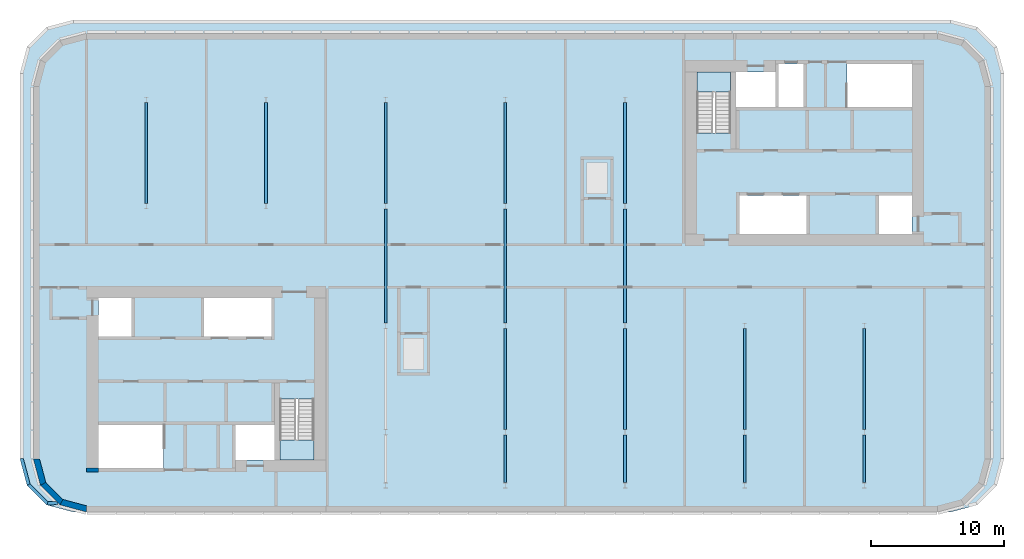
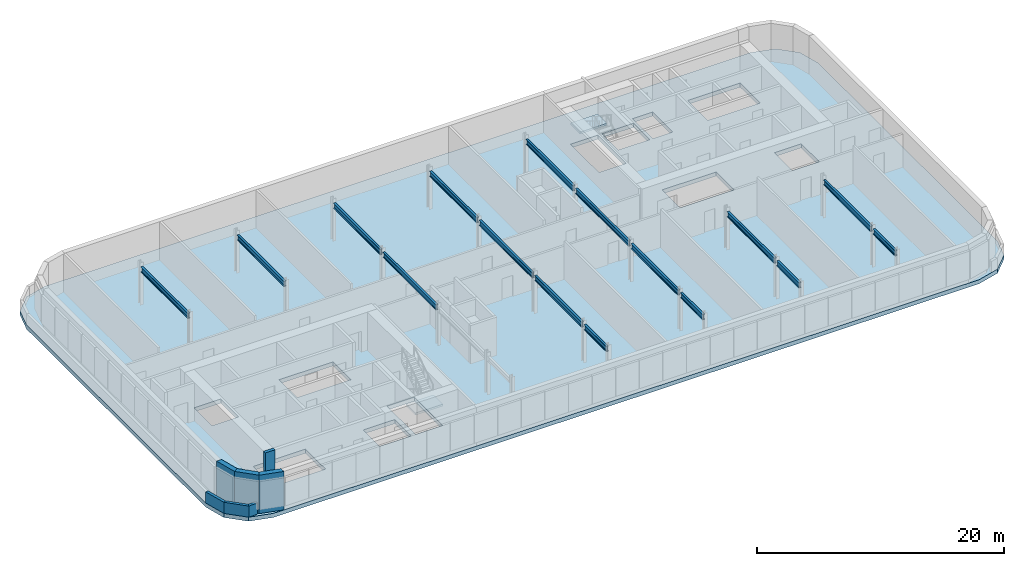
# One storey, part 3 of 10: 16 beams, 7 walls, 3 slabs, 2 elements without a shape of their own.
"""IFC4 building model written with IfcOpenShell, lengths in metres."""

from ifc_helpers import new_model, si_unit, direction, frame, frame_2d, origin, origin_2d, place, context, subcontext, project, spatial, polyline, rectangle, i_section, outline, extrude, material, layer, layer_set, material_profile, profile_set, type_object, element, aggregate, save


model = new_model("IFC4")

# Units and contexts
model_context = context("Model", 3, precision=1e-05, world=origin(), true_north=direction((0.0, 1.0)))
body_context = subcontext(model_context, "Body", "Model", "MODEL_VIEW")
ifc_project = project(units=[si_unit("LENGTHUNIT", "METRE"), si_unit("AREAUNIT", "SQUARE_METRE"), si_unit("VOLUMEUNIT", "CUBIC_METRE"), si_unit("PLANEANGLEUNIT", "RADIAN"), si_unit("MASSUNIT", "GRAM", prefix="KILO")], contexts=[model_context])

# Site, building, storey
site_placement = place(None, origin())
site = spatial("IfcSite", under=ifc_project, at=site_placement, CompositionType="ELEMENT")
building_placement = place(site_placement, origin())
building = spatial("IfcBuilding", under=site, at=building_placement, Name="Kajstack Hotel Tower", CompositionType="ELEMENT")
storey_placement = place(building_placement, frame((0.0, 0.0, 313.60009765625)))
storey = spatial("IfcBuildingStorey", under=building, at=storey_placement, Name="L79", CompositionType="ELEMENT", Elevation=313.60009765625)

# Beams
ifc_material_1 = material(Name="Steel S355J2", Category="steel")
ifc_material_profile = material_profile(ifc_material_1, i_section(OverallWidth=0.199951171875, OverallDepth=0.5, WebThickness=0.01025390625, FlangeThickness=0.01611328125, FilletRadius=0.02099609375, at=origin_2d()), Name="IPE 500")
ifc_profile_set = profile_set([ifc_material_profile], Name="Steel S355J2")
beam_type = type_object("IfcBeamType", Name="CF1 IPE 500", PredefinedType="BEAM", material=ifc_profile_set)
for number, where, z_axis, x_axis, name in (
    (1, (-27.0, 4.699951171875, 3.5498046875), (0.0, 1.0, 0.0), (-1.0, 0.0, 0.0), "S-beam-c-L79--27p0-1"),
    (2, (-18.0, 4.699951171875, 3.5498046875), (0.0, 1.0, 0.0), (-1.0, 0.0, 0.0), "S-beam-c-L79--18p0-1"),
):
    element("IfcBeam", number, at=place(storey_placement, frame(where, z_axis=z_axis, x_axis=x_axis)), inside=storey, type_object=beam_type, Name=name, PredefinedType="BEAM", context=body_context, shape_type="SweptSolid", body=[
        extrude(i_section(OverallWidth=0.199951171875, OverallDepth=0.5, WebThickness=0.01025390625, FlangeThickness=0.01611328125, FilletRadius=0.02099609375, at=origin_2d()), origin(), (0.0, 0.0, 1.0), 7.60009765625),
    ])
beam_1_placement = place(storey_placement, frame((-9.0, -4.300048828125, 3.5498046875), z_axis=(0.0, 1.0, 0.0), x_axis=(-1.0, 0.0, 0.0)))
element("IfcBeam", 3, at=beam_1_placement, inside=storey, type_object=beam_type, Name="S-beam-c-L79--9p0-3", PredefinedType="BEAM", context=body_context, shape_type="SweptSolid", body=[
    extrude(i_section(OverallWidth=0.199951171875, OverallDepth=0.5, WebThickness=0.01025390625, FlangeThickness=0.01611328125, FilletRadius=0.02099609375, at=origin_2d()), origin(), (0.0, 0.0, 1.0), 8.60009765625),
])
beam_2_placement = place(storey_placement, frame((-9.0, 4.699951171875, 3.5498046875), z_axis=(0.0, 1.0, 0.0), x_axis=(-1.0, 0.0, 0.0)))
element("IfcBeam", 4, at=beam_2_placement, inside=storey, type_object=beam_type, Name="S-beam-c-L79--9p0-4", PredefinedType="BEAM", context=body_context, shape_type="SweptSolid", body=[
    extrude(i_section(OverallWidth=0.199951171875, OverallDepth=0.5, WebThickness=0.01025390625, FlangeThickness=0.01611328125, FilletRadius=0.02099609375, at=origin_2d()), origin(), (0.0, 0.0, 1.0), 7.60009765625),
])
beam_3_placement = place(storey_placement, frame((0.0, -16.300048828125, 3.5498046875), z_axis=(0.0, 1.0, 0.0), x_axis=(-1.0, 0.0, 0.0)))
element("IfcBeam", 5, at=beam_3_placement, inside=storey, type_object=beam_type, Name="S-beam-c-L79-+0p0-1", PredefinedType="BEAM", context=body_context, shape_type="SweptSolid", body=[
    extrude(i_section(OverallWidth=0.199951171875, OverallDepth=0.5, WebThickness=0.01025390625, FlangeThickness=0.01611328125, FilletRadius=0.02099609375, at=origin_2d()), origin(), (0.0, 0.0, 1.0), 3.60009765625),
])
beam_4_placement = place(storey_placement, frame((0.0, -12.300048828125, 3.5498046875), z_axis=(0.0, 1.0, 0.0), x_axis=(-1.0, 0.0, 0.0)))
element("IfcBeam", 6, at=beam_4_placement, inside=storey, type_object=beam_type, Name="S-beam-c-L79-+0p0-2", PredefinedType="BEAM", context=body_context, shape_type="SweptSolid", body=[
    extrude(i_section(OverallWidth=0.199951171875, OverallDepth=0.5, WebThickness=0.01025390625, FlangeThickness=0.01611328125, FilletRadius=0.02099609375, at=origin_2d()), origin(), (0.0, 0.0, 1.0), 7.60009765625),
])
beam_5_placement = place(storey_placement, frame((0.0, -4.300048828125, 3.5498046875), z_axis=(0.0, 1.0, 0.0), x_axis=(-1.0, 0.0, 0.0)))
element("IfcBeam", 7, at=beam_5_placement, inside=storey, type_object=beam_type, Name="S-beam-c-L79-+0p0-3", PredefinedType="BEAM", context=body_context, shape_type="SweptSolid", body=[
    extrude(i_section(OverallWidth=0.199951171875, OverallDepth=0.5, WebThickness=0.01025390625, FlangeThickness=0.01611328125, FilletRadius=0.02099609375, at=origin_2d()), origin(), (0.0, 0.0, 1.0), 8.60009765625),
])
beam_6_placement = place(storey_placement, frame((0.0, 4.699951171875, 3.5498046875), z_axis=(0.0, 1.0, 0.0), x_axis=(-1.0, 0.0, 0.0)))
element("IfcBeam", 8, at=beam_6_placement, inside=storey, type_object=beam_type, Name="S-beam-c-L79-+0p0-4", PredefinedType="BEAM", context=body_context, shape_type="SweptSolid", body=[
    extrude(i_section(OverallWidth=0.199951171875, OverallDepth=0.5, WebThickness=0.01025390625, FlangeThickness=0.01611328125, FilletRadius=0.02099609375, at=origin_2d()), origin(), (0.0, 0.0, 1.0), 7.60009765625),
])
beam_7_placement = place(storey_placement, frame((9.0, -16.300048828125, 3.5498046875), z_axis=(0.0, 1.0, 0.0), x_axis=(-1.0, 0.0, 0.0)))
element("IfcBeam", 9, at=beam_7_placement, inside=storey, type_object=beam_type, Name="S-beam-c-L79-+9p0-1", PredefinedType="BEAM", context=body_context, shape_type="SweptSolid", body=[
    extrude(i_section(OverallWidth=0.199951171875, OverallDepth=0.5, WebThickness=0.01025390625, FlangeThickness=0.01611328125, FilletRadius=0.02099609375, at=origin_2d()), origin(), (0.0, 0.0, 1.0), 3.60009765625),
])
beam_8_placement = place(storey_placement, frame((9.0, -12.300048828125, 3.5498046875), z_axis=(0.0, 1.0, 0.0), x_axis=(-1.0, 0.0, 0.0)))
element("IfcBeam", 10, at=beam_8_placement, inside=storey, type_object=beam_type, Name="S-beam-c-L79-+9p0-2", PredefinedType="BEAM", context=body_context, shape_type="SweptSolid", body=[
    extrude(i_section(OverallWidth=0.199951171875, OverallDepth=0.5, WebThickness=0.01025390625, FlangeThickness=0.01611328125, FilletRadius=0.02099609375, at=origin_2d()), origin(), (0.0, 0.0, 1.0), 7.60009765625),
])
beam_9_placement = place(storey_placement, frame((9.0, -4.300048828125, 3.5498046875), z_axis=(0.0, 1.0, 0.0), x_axis=(-1.0, 0.0, 0.0)))
element("IfcBeam", 11, at=beam_9_placement, inside=storey, type_object=beam_type, Name="S-beam-c-L79-+9p0-3", PredefinedType="BEAM", context=body_context, shape_type="SweptSolid", body=[
    extrude(i_section(OverallWidth=0.199951171875, OverallDepth=0.5, WebThickness=0.01025390625, FlangeThickness=0.01611328125, FilletRadius=0.02099609375, at=origin_2d()), origin(), (0.0, 0.0, 1.0), 8.60009765625),
])
beam_10_placement = place(storey_placement, frame((9.0, 4.699951171875, 3.5498046875), z_axis=(0.0, 1.0, 0.0), x_axis=(-1.0, 0.0, 0.0)))
element("IfcBeam", 12, at=beam_10_placement, inside=storey, type_object=beam_type, Name="S-beam-c-L79-+9p0-4", PredefinedType="BEAM", context=body_context, shape_type="SweptSolid", body=[
    extrude(i_section(OverallWidth=0.199951171875, OverallDepth=0.5, WebThickness=0.01025390625, FlangeThickness=0.01611328125, FilletRadius=0.02099609375, at=origin_2d()), origin(), (0.0, 0.0, 1.0), 7.60009765625),
])
beam_11_placement = place(storey_placement, frame((18.0, -16.300048828125, 3.5498046875), z_axis=(0.0, 1.0, 0.0), x_axis=(-1.0, 0.0, 0.0)))
element("IfcBeam", 13, at=beam_11_placement, inside=storey, type_object=beam_type, Name="S-beam-c-L79-+18p0-1", PredefinedType="BEAM", context=body_context, shape_type="SweptSolid", body=[
    extrude(i_section(OverallWidth=0.199951171875, OverallDepth=0.5, WebThickness=0.01025390625, FlangeThickness=0.01611328125, FilletRadius=0.02099609375, at=origin_2d()), origin(), (0.0, 0.0, 1.0), 3.60009765625),
])
beam_12_placement = place(storey_placement, frame((18.0, -12.300048828125, 3.5498046875), z_axis=(0.0, 1.0, 0.0), x_axis=(-1.0, 0.0, 0.0)))
element("IfcBeam", 14, at=beam_12_placement, inside=storey, type_object=beam_type, Name="S-beam-c-L79-+18p0-2", PredefinedType="BEAM", context=body_context, shape_type="SweptSolid", body=[
    extrude(i_section(OverallWidth=0.199951171875, OverallDepth=0.5, WebThickness=0.01025390625, FlangeThickness=0.01611328125, FilletRadius=0.02099609375, at=origin_2d()), origin(), (0.0, 0.0, 1.0), 7.60009765625),
])
beam_13_placement = place(storey_placement, frame((27.0, -16.300048828125, 3.5498046875), z_axis=(0.0, 1.0, 0.0), x_axis=(-1.0, 0.0, 0.0)))
element("IfcBeam", 15, at=beam_13_placement, inside=storey, type_object=beam_type, Name="S-beam-c-L79-+27p0-1", PredefinedType="BEAM", context=body_context, shape_type="SweptSolid", body=[
    extrude(i_section(OverallWidth=0.199951171875, OverallDepth=0.5, WebThickness=0.01025390625, FlangeThickness=0.01611328125, FilletRadius=0.02099609375, at=origin_2d()), origin(), (0.0, 0.0, 1.0), 3.60009765625),
])
beam_14_placement = place(storey_placement, frame((27.0, -12.300048828125, 3.5498046875), z_axis=(0.0, 1.0, 0.0), x_axis=(-1.0, 0.0, 0.0)))
element("IfcBeam", 16, at=beam_14_placement, inside=storey, type_object=beam_type, Name="S-beam-c-L79-+27p0-2", PredefinedType="BEAM", context=body_context, shape_type="SweptSolid", body=[
    extrude(i_section(OverallWidth=0.199951171875, OverallDepth=0.5, WebThickness=0.01025390625, FlangeThickness=0.01611328125, FilletRadius=0.02099609375, at=origin_2d()), origin(), (0.0, 0.0, 1.0), 7.60009765625),
])

# Slab
ifc_material_2 = material(Name="Concrete C40/50", Category="concrete")
ifc_layer_1 = layer(ifc_material_2, 0.39990234375)
ifc_layer_set_1 = layer_set([ifc_layer_1], Name="RC slab 400 C40/50 crown")
slab_type_1 = type_object("IfcSlabType", Name="RC slab 400 C40/50 crown", PredefinedType="FLOOR", material=ifc_layer_set_1)
slab_1_placement = place(storey_placement, frame((0.0, 0.0, -0.400146484375)))
element("IfcSlab", 17, at=slab_1_placement, inside=storey, type_object=slab_type_1, Name="S-slab-L79", PredefinedType="FLOOR", context=body_context, shape_type="SweptSolid", body=[
    extrude(outline(polyline([(-31.5, -18.5), (-32.5, -18.5), (-34.5, -17.964111328125), (-35.964111328125, -16.5), (-36.5, -14.5), (-36.5, 14.5), (-35.964111328125, 16.5), (-34.5, 17.964111328125), (-32.5, 18.5), (33.5, 18.5), (35.5, 17.964111328125), (36.964111328125, 16.5), (37.5, 14.5), (37.5, -14.5), (36.964111328125, -16.5), (35.5, -17.964111328125), (33.5, -18.5), (32.5, -18.5), (-31.5, -18.5)]), holes=[polyline([(-22.64990234375, -5.300048828125), (-22.64990234375, -2.39990234375), (-17.60009765625, -2.39990234375), (-17.60009765625, -5.300048828125), (-22.64990234375, -5.300048828125)]), polyline([(-20.300048828125, -14.60009765625), (-17.35009765625, -14.60009765625), (-17.35009765625, -11.949951171875), (-20.300048828125, -11.949951171875), (-20.300048828125, -14.60009765625)]), polyline([(-30.60009765625, -5.300048828125), (-28.10009765625, -5.300048828125), (-28.10009765625, -2.39990234375), (-30.60009765625, -2.39990234375), (-30.60009765625, -5.300048828125)]), polyline([(17.60009765625, 2.39990234375), (17.60009765625, 5.300048828125), (22.64990234375, 5.300048828125), (22.64990234375, 2.39990234375), (17.60009765625, 2.39990234375)]), polyline([(20.300048828125, 14.60009765625), (17.35009765625, 14.60009765625), (17.35009765625, 11.949951171875), (20.300048828125, 11.949951171875), (20.300048828125, 14.60009765625)]), polyline([(30.60009765625, 5.300048828125), (28.10009765625, 5.300048828125), (28.10009765625, 2.39990234375), (30.60009765625, 2.39990234375), (30.60009765625, 5.300048828125)]), polyline([(-16.949951171875, -14.60009765625), (-14.39990234375, -14.60009765625), (-14.39990234375, -10.0), (-16.949951171875, -10.0), (-16.949951171875, -14.60009765625)]), polyline([(-30.60009765625, -15.199951171875), (-25.699951171875, -15.199951171875), (-25.699951171875, -11.949951171875), (-30.60009765625, -11.949951171875), (-30.60009765625, -15.199951171875)]), polyline([(16.949951171875, 14.60009765625), (14.39990234375, 14.60009765625), (14.39990234375, 10.0), (16.949951171875, 10.0), (16.949951171875, 14.60009765625)]), polyline([(30.60009765625, 15.199951171875), (25.699951171875, 15.199951171875), (25.699951171875, 11.949951171875), (30.60009765625, 11.949951171875), (30.60009765625, 15.199951171875)]), polyline([(22.425048828125, 15.199951171875), (22.425048828125, 11.949951171875), (20.550048828125, 11.949951171875), (20.550048828125, 15.199951171875), (22.425048828125, 15.199951171875)])]), origin(), (0.0, 0.0, 1.0), 0.400146484375),
])

# Stair, slab
stair_type = type_object("IfcStairType", Name="Exit stair 1200", PredefinedType="HALF_TURN_STAIR", material=ifc_material_2)
stair_1_placement = place(storey_placement, origin())
stair_1 = element("IfcStair", 18, at=stair_1_placement, inside=storey, type_object=stair_type, Name="L79 stair W2", PredefinedType="HALF_TURN_STAIR")
ifc_layer_2 = layer(ifc_material_2, 0.199951171875)
ifc_layer_set_2 = layer_set([ifc_layer_2], Name="Stair landing 200")
slab_type_2 = type_object("IfcSlabType", Name="Stair landing 200", PredefinedType="LANDING", material=ifc_layer_set_2)
slab_2_placement = place(storey_placement, frame((0.0, 0.0, 1.89990234375)))
slab_2 = element("IfcSlab", 19, at=slab_2_placement, type_object=slab_type_2, Name="W2 landing 1", PredefinedType="LANDING", context=body_context, shape_type="SweptSolid", body=[
    extrude(outline(polyline([(-16.949951171875, -13.080078125), (-16.949951171875, -14.60009765625), (-14.39990234375, -14.60009765625), (-14.39990234375, -13.080078125), (-16.949951171875, -13.080078125)])), origin(), (0.0, 0.0, 1.0), 0.199951171875),
])
aggregate(stair_1, [slab_2])

stair_2_placement = place(storey_placement, origin())
stair_2 = element("IfcStair", 20, at=stair_2_placement, inside=storey, type_object=stair_type, Name="L79 stair E2", PredefinedType="HALF_TURN_STAIR")
slab_3_placement = place(storey_placement, frame((0.0, 0.0, 1.89990234375)))
slab_3 = element("IfcSlab", 21, at=slab_3_placement, type_object=slab_type_2, Name="E2 landing 1", PredefinedType="LANDING", context=body_context, shape_type="SweptSolid", body=[
    extrude(outline(polyline([(16.949951171875, 13.080078125), (16.949951171875, 14.60009765625), (14.39990234375, 14.60009765625), (14.39990234375, 13.080078125), (16.949951171875, 13.080078125)])), origin(), (0.0, 0.0, 1.0), 0.199951171875),
])
aggregate(stair_2, [slab_3])

# Walls
ifc_material_3 = material(Name="Concrete C60/75", Category="concrete")
ifc_layer_3 = layer(ifc_material_3, 0.89990234375)
ifc_layer_set_3 = layer_set([ifc_layer_3], Name="Core wall 900")
wall_type_1 = type_object("IfcWallType", Name="Core wall 900", PredefinedType="SHEAR", material=ifc_layer_set_3)
wall_1_placement = place(storey_placement, frame((-31.5, -15.35009765625, 0.0), z_axis=(0.0, 0.0, 1.0), x_axis=(1.0, 0.0, 0.0)))
element("IfcWall", 22, at=wall_1_placement, inside=storey, type_object=wall_type_1, Name="Core wall W RSW", PredefinedType="SHEAR", context=body_context, shape_type="SweptSolid", body=[
    extrude(rectangle(XDim=0.89990234375, YDim=0.300048828125, at=frame_2d((0.449951171875, 0.0))), origin(), (0.0, 0.0, 1.0), 3.7998046875),
])
ifc_material_4 = material(Name="Zinc-clad block masonry", Category="masonry")
ifc_layer_4 = layer(ifc_material_4, 0.449951171875)
ifc_layer_set_4 = layer_set([ifc_layer_4], Name="EW-ZINC")
wall_type_2 = type_object("IfcWallType", Name="EW-ZINC", PredefinedType="SOLIDWALL", material=ifc_layer_set_4)
wall_2_placement = place(storey_placement, frame((-35.28271484375, -14.441650390625, 0.0), z_axis=(0.0, 0.0, 1.0), x_axis=(0.25881466832, -0.965926999034, 0.0)))
element("IfcWall", 23, at=wall_2_placement, inside=storey, type_object=wall_type_2, Name="E-wall-L79-00-00", PredefinedType="SOLIDWALL", context=body_context, shape_type="SweptSolid", body=[
    extrude(outline(polyline([(0.000244140625, -0.22509765625), (2.070556640625, -0.224853515625), (1.9501953125, 0.22509765625), (0.12060546875, 0.22509765625), (0.000244140625, -0.22509765625)])), origin(), (0.0, 0.0, 1.0), 3.7998046875),
])
wall_3_placement = place(storey_placement, frame((-34.804931640625, -16.3408203125, 0.0), z_axis=(0.0, 0.0, 1.0), x_axis=(0.707106781187, -0.707106781187, 0.0)))
element("IfcWall", 24, at=wall_3_placement, inside=storey, type_object=wall_type_2, Name="E-wall-L79-01-00", PredefinedType="SOLIDWALL", context=body_context, shape_type="SweptSolid", body=[
    extrude(outline(polyline([(0.0, -0.22509765625), (2.070556640625, -0.22509765625), (1.949951171875, 0.224853515625), (0.12060546875, 0.224853515625), (0.0, -0.22509765625)])), origin(), (0.0, 0.0, 1.0), 3.7998046875),
])
wall_4_placement = place(storey_placement, frame((-33.441650390625, -17.746826171875, 0.0), z_axis=(0.0, 0.0, 1.0), x_axis=(0.965926999034, -0.25881466832, 0.0)))
element("IfcWall", 25, at=wall_4_placement, inside=storey, type_object=wall_type_2, Name="E-wall-L79-02-00", PredefinedType="SOLIDWALL", context=body_context, shape_type="SweptSolid", body=[
    extrude(outline(polyline([(-0.000244140625, -0.224853515625), (2.0703125, -0.22509765625), (1.949951171875, 0.22509765625), (0.120361328125, 0.22509765625), (-0.000244140625, -0.224853515625)])), origin(), (0.0, 0.0, 1.0), 3.7998046875),
])
ifc_layer_5 = layer(ifc_material_4, 0.25)
ifc_layer_set_5 = layer_set([ifc_layer_5], Name="PARAPET-ZINC")
wall_type_3 = type_object("IfcWallType", Name="PARAPET-ZINC", PredefinedType="PARAPET", material=ifc_layer_set_5)
wall_5_placement = place(storey_placement, origin())
element("IfcWall", 26, at=wall_5_placement, inside=storey, type_object=wall_type_3, Name="Parapet L79-01-01-01", PredefinedType="PARAPET", context=body_context, shape_type="SweptSolid", body=[
    extrude(outline(polyline([(-33.64208984375, -17.94140625), (-33.6474609375, -17.81787109375), (-33.768798828125, -17.69677734375), (-34.385986328125, -17.724609375), (-34.484619140625, -17.979248046875), (-33.64208984375, -17.94140625)])), origin(), (0.0, 0.0, 1.0), 1.099853515625),
])
wall_6_placement = place(storey_placement, origin())
element("IfcWall", 27, at=wall_6_placement, inside=storey, type_object=wall_type_3, Name="Parapet L79-01-01-02", PredefinedType="PARAPET", context=body_context, shape_type="SweptSolid", body=[
    extrude(outline(polyline([(-34.484619140625, -17.979248046875), (-34.385986328125, -17.724609375), (-35.739990234375, -16.37060546875), (-35.964111328125, -16.5), (-34.484619140625, -17.979248046875)])), origin(), (0.0, 0.0, 1.0), 1.099853515625),
])
wall_7_placement = place(storey_placement, origin())
element("IfcWall", 28, at=wall_7_placement, inside=storey, type_object=wall_type_3, Name="Parapet L79-01-01-03", PredefinedType="PARAPET", context=body_context, shape_type="SweptSolid", body=[
    extrude(outline(polyline([(-35.964111328125, -16.5), (-35.739990234375, -16.37060546875), (-36.25, -14.467041015625), (-36.5, -14.5), (-35.964111328125, -16.5)])), origin(), (0.0, 0.0, 1.0), 1.099853515625),
])

save(model, "model.ifc")
